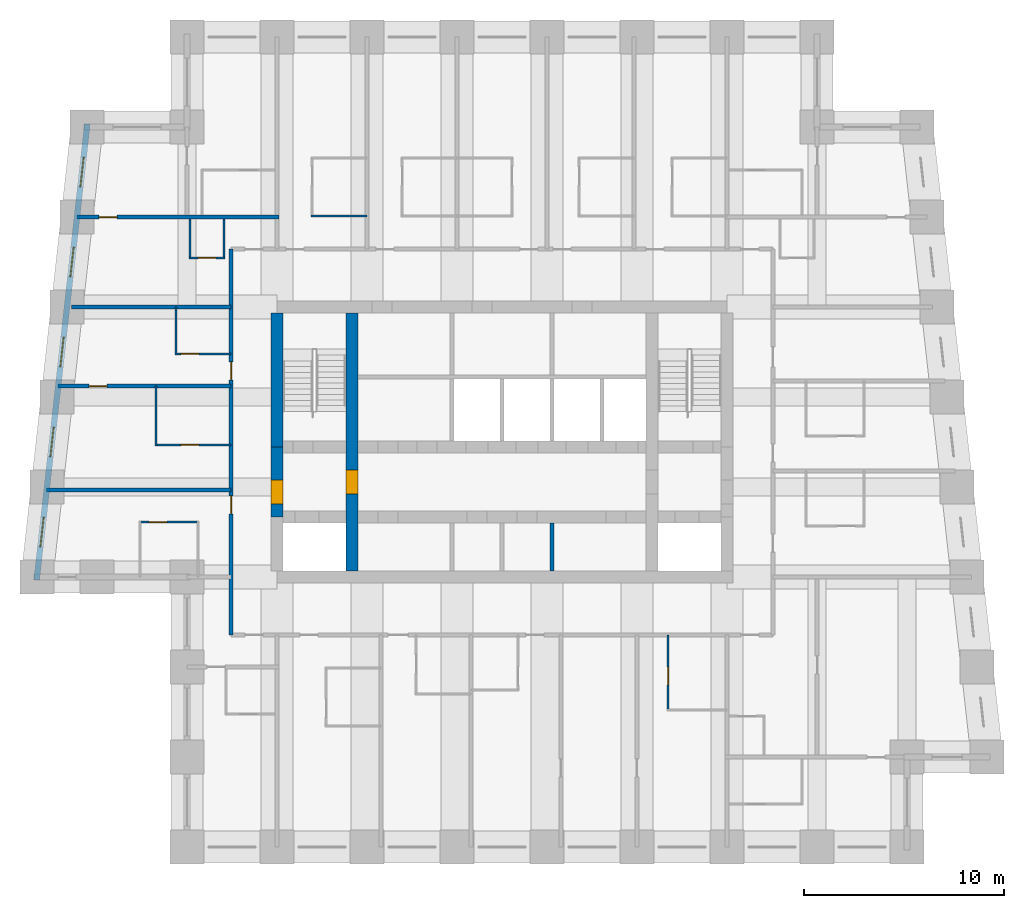
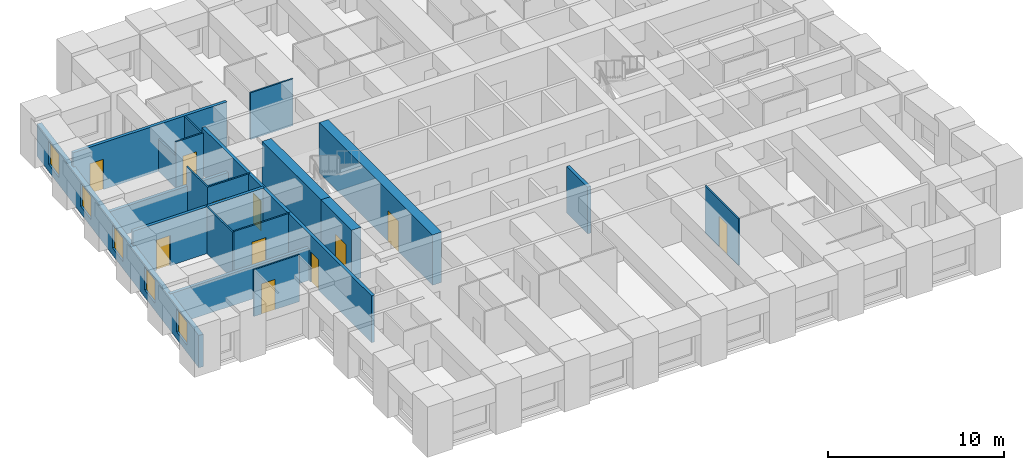
# One storey, part 3 of 8: 20 walls, 11 doors, 5 windows, 16 openings.
"""IFC4 building model written with IfcOpenShell, lengths in metres."""

from ifc_helpers import new_model, si_unit, direction, frame, frame_2d, origin, place, context, subcontext, project, spatial, rectangle, extrude, material, layer, layer_set, type_object, element, fill, save


model = new_model("IFC4")

# Units and contexts
model_context = context("Model", 3, precision=1e-05, world=origin(), true_north=direction((0.0, 1.0)))
body_context = subcontext(model_context, "Body", "Model", "MODEL_VIEW")
ifc_project = project(units=[si_unit("LENGTHUNIT", "METRE"), si_unit("AREAUNIT", "SQUARE_METRE"), si_unit("VOLUMEUNIT", "CUBIC_METRE"), si_unit("PLANEANGLEUNIT", "RADIAN"), si_unit("MASSUNIT", "GRAM", prefix="KILO")], contexts=[model_context])

# Site, building, storey
site_placement = place(None, origin())
site = spatial("IfcSite", under=ifc_project, at=site_placement, CompositionType="ELEMENT")
building_placement = place(site_placement, origin())
building = spatial("IfcBuilding", under=site, at=building_placement, Name="Kilele Tower Hotel", CompositionType="ELEMENT")
storey_placement = place(building_placement, frame((0.0, 0.0, 183.39990234375)))
storey = spatial("IfcBuildingStorey", under=building, at=storey_placement, Name="L47", CompositionType="ELEMENT", Elevation=183.39990234375)

# Wall, opening, door
ifc_material_1 = material(Name="Moisture-resistant board")
ifc_layer_1 = layer(ifc_material_1, 0.10009765625)
ifc_layer_set_1 = layer_set([ifc_layer_1], Name="Moisture-resistant board")
wall_type_1 = type_object("IfcWallType", Name="Bathroom partition 100", PredefinedType="PLUMBINGWALL", material=ifc_layer_set_1)
wall_1_placement = place(storey_placement, frame((33.050048828125, 10.60009765625, 0.0), z_axis=(0.0, 0.0, 1.0), x_axis=(0.0, -1.0, 0.0)))
wall_1 = element("IfcWall", 1, at=wall_1_placement, inside=storey, type_object=wall_type_1, Name="Bathroom partition 100 L47", PredefinedType="PLUMBINGWALL", context=body_context, shape_type="SweptSolid", body=[
    extrude(rectangle(XDim=3.800048828125, YDim=0.10009765625, at=frame_2d((1.89990234375, 0.0))), origin(), (0.0, 0.0, 1.0), 3.25),
])
opening_1_placement = place(wall_1_placement, frame((2.5, 0.0, 0.0), z_axis=(0.0, 0.0, 1.0), x_axis=(-1.0, 0.0, 0.0)))
opening_1 = element("IfcOpeningElement", 2, at=opening_1_placement, cuts=wall_1, Name="Opening D2A", PredefinedType="OPENING", context=body_context, shape_type="SweptSolid", body=[
    extrude(rectangle(XDim=0.89990234375, YDim=2.10009765625, at=frame_2d((0.449951171875, 1.050048828125))), frame((0.0, 0.06005859375, 0.0), z_axis=(0.0, -1.0, 0.0), x_axis=(1.0, 0.0, 0.0)), (0.0, 0.0, 1.0), 0.1201171875),
])
ifc_material_2 = material(Name="Timber door leaf in hardwood frame", Category="wood")
door_type_1 = type_object("IfcDoorType", Name="Bathroom door 900", OperationType="SINGLE_SWING_LEFT", PredefinedType="DOOR", material=ifc_material_2)
door_1_placement = place(opening_1_placement, origin())
door_1 = element("IfcDoor", 3, at=door_1_placement, inside=storey, type_object=door_type_1, Name="Bathroom door 4705B", OperationType="SINGLE_SWING_LEFT", OverallHeight=2.10009765625, OverallWidth=0.89990234375, PredefinedType="DOOR", context=body_context, shape_type="SweptSolid", body=[
    extrude(rectangle(XDim=0.89990234375, YDim=2.10009765625, at=frame_2d((0.449951171875, 1.050048828125))), frame((0.0, 0.02490234375, 0.0), z_axis=(0.0, -1.0, 0.0), x_axis=(1.0, 0.0, 0.0)), (0.0, 0.0, 1.0), 0.050048828125),
])
fill(opening_1, door_1)

# Wall
wall_2_placement = place(storey_placement, frame((15.199951171875, 31.550048828125, 0.0), z_axis=(0.0, 0.0, 1.0), x_axis=(1.0, 0.0, 0.0)))
element("IfcWall", 4, at=wall_2_placement, inside=storey, type_object=wall_type_1, Name="Bathroom partition 100 L47", PredefinedType="PLUMBINGWALL", context=body_context, shape_type="SweptSolid", body=[
    extrude(rectangle(XDim=2.800048828125, YDim=0.10009765625, at=frame_2d((1.39990234375, 0.0))), origin(), (0.0, 0.0, 1.0), 3.25),
])

# Wall, opening, door
wall_3_placement = place(storey_placement, frame((9.60009765625, 16.25, 0.0), z_axis=(0.0, 0.0, 1.0), x_axis=(-1.0, 0.0, 0.0)))
wall_3 = element("IfcWall", 5, at=wall_3_placement, inside=storey, type_object=wall_type_1, Name="Bathroom partition 100 L47", PredefinedType="PLUMBINGWALL", context=body_context, shape_type="SweptSolid", body=[
    extrude(rectangle(XDim=3.0, YDim=0.10009765625, at=frame_2d((1.5, 0.0))), origin(), (0.0, 0.0, 1.0), 3.25),
])
opening_2_placement = place(wall_3_placement, frame((2.5, 0.0, 0.0), z_axis=(0.0, 0.0, 1.0), x_axis=(-1.0, 0.0, 0.0)))
opening_2 = element("IfcOpeningElement", 6, at=opening_2_placement, cuts=wall_3, Name="Opening D2A", PredefinedType="OPENING", context=body_context, shape_type="SweptSolid", body=[
    extrude(rectangle(XDim=0.89990234375, YDim=2.10009765625, at=frame_2d((0.449951171875, 1.050048828125))), frame((0.0, 0.06005859375, 0.0), z_axis=(0.0, -1.0, 0.0), x_axis=(1.0, 0.0, 0.0)), (0.0, 0.0, 1.0), 0.1201171875),
])
door_2_placement = place(opening_2_placement, origin())
door_2 = element("IfcDoor", 7, at=door_2_placement, inside=storey, type_object=door_type_1, Name="Bathroom door 4714B", OperationType="SINGLE_SWING_LEFT", OverallHeight=2.10009765625, OverallWidth=0.89990234375, PredefinedType="DOOR", context=body_context, shape_type="SweptSolid", body=[
    extrude(rectangle(XDim=0.89990234375, YDim=2.10009765625, at=frame_2d((0.449951171875, 1.050048828125))), frame((0.0, 0.02490234375, 0.0), z_axis=(0.0, -1.0, 0.0), x_axis=(1.0, 0.0, 0.0)), (0.0, 0.0, 1.0), 0.050048828125),
])
fill(opening_2, door_2)

# Wall
wall_4_placement = place(storey_placement, frame((7.449951171875, 20.050048828125, 0.0), z_axis=(0.0, 0.0, 1.0), x_axis=(0.0, 1.0, 0.0)))
element("IfcWall", 8, at=wall_4_placement, inside=storey, type_object=wall_type_1, Name="Bathroom partition 100 L47", PredefinedType="PLUMBINGWALL", context=body_context, shape_type="SweptSolid", body=[
    extrude(rectangle(XDim=3.0, YDim=0.10009765625, at=frame_2d((1.5, 0.0))), origin(), (0.0, 0.0, 1.0), 3.25),
])

# Wall, opening, door
wall_5_placement = place(storey_placement, frame((11.199951171875, 20.10009765625, 0.0), z_axis=(0.0, 0.0, 1.0), x_axis=(-1.0, 0.0, 0.0)))
wall_5 = element("IfcWall", 9, at=wall_5_placement, inside=storey, type_object=wall_type_1, Name="Bathroom partition 100 L47", PredefinedType="PLUMBINGWALL", context=body_context, shape_type="SweptSolid", body=[
    extrude(rectangle(XDim=3.800048828125, YDim=0.10009765625, at=frame_2d((1.89990234375, 0.0))), origin(), (0.0, 0.0, 1.0), 3.25),
])
opening_3_placement = place(wall_5_placement, frame((1.60009765625, 0.0, 0.0)))
opening_3 = element("IfcOpeningElement", 10, at=opening_3_placement, cuts=wall_5, Name="Opening D2A", PredefinedType="OPENING", context=body_context, shape_type="SweptSolid", body=[
    extrude(rectangle(XDim=0.89990234375, YDim=2.10009765625, at=frame_2d((0.449951171875, 1.050048828125))), frame((0.0, 0.06005859375, 0.0), z_axis=(0.0, -1.0, 0.0), x_axis=(1.0, 0.0, 0.0)), (0.0, 0.0, 1.0), 0.1201171875),
])
door_3_placement = place(opening_3_placement, origin())
door_3 = element("IfcDoor", 11, at=door_3_placement, inside=storey, type_object=door_type_1, Name="Bathroom door 4715B", OperationType="SINGLE_SWING_RIGHT", OverallHeight=2.10009765625, OverallWidth=0.89990234375, PredefinedType="DOOR", context=body_context, shape_type="SweptSolid", body=[
    extrude(rectangle(XDim=0.89990234375, YDim=2.10009765625, at=frame_2d((0.449951171875, 1.050048828125))), frame((0.0, 0.02490234375, 0.0), z_axis=(0.0, -1.0, 0.0), x_axis=(1.0, 0.0, 0.0)), (0.0, 0.0, 1.0), 0.050048828125),
])
fill(opening_3, door_3)

# Wall
wall_6_placement = place(storey_placement, frame((8.449951171875, 24.60009765625, 0.0), z_axis=(0.0, 0.0, 1.0), x_axis=(0.0, 1.0, 0.0)))
element("IfcWall", 12, at=wall_6_placement, inside=storey, type_object=wall_type_1, Name="Bathroom partition 100 L47", PredefinedType="PLUMBINGWALL", context=body_context, shape_type="SweptSolid", body=[
    extrude(rectangle(XDim=2.39990234375, YDim=0.10009765625, at=frame_2d((1.199951171875, 0.0))), origin(), (0.0, 0.0, 1.0), 3.25),
])

# Wall, opening, door
wall_7_placement = place(storey_placement, frame((11.199951171875, 24.64990234375, 0.0), z_axis=(0.0, 0.0, 1.0), x_axis=(-1.0, 0.0, 0.0)))
wall_7 = element("IfcWall", 13, at=wall_7_placement, inside=storey, type_object=wall_type_1, Name="Bathroom partition 100 L47", PredefinedType="PLUMBINGWALL", context=body_context, shape_type="SweptSolid", body=[
    extrude(rectangle(XDim=2.800048828125, YDim=0.10009765625, at=frame_2d((1.39990234375, 0.0))), origin(), (0.0, 0.0, 1.0), 3.25),
])
opening_4_placement = place(wall_7_placement, frame((1.60009765625, 0.0, 0.0)))
opening_4 = element("IfcOpeningElement", 14, at=opening_4_placement, cuts=wall_7, Name="Opening D2A", PredefinedType="OPENING", context=body_context, shape_type="SweptSolid", body=[
    extrude(rectangle(XDim=0.89990234375, YDim=2.10009765625, at=frame_2d((0.449951171875, 1.050048828125))), frame((0.0, 0.06005859375, 0.0), z_axis=(0.0, -1.0, 0.0), x_axis=(1.0, 0.0, 0.0)), (0.0, 0.0, 1.0), 0.1201171875),
])
door_4_placement = place(opening_4_placement, origin())
door_4 = element("IfcDoor", 15, at=door_4_placement, inside=storey, type_object=door_type_1, Name="Bathroom door 4716B", OperationType="SINGLE_SWING_RIGHT", OverallHeight=2.10009765625, OverallWidth=0.89990234375, PredefinedType="DOOR", context=body_context, shape_type="SweptSolid", body=[
    extrude(rectangle(XDim=0.89990234375, YDim=2.10009765625, at=frame_2d((0.449951171875, 1.050048828125))), frame((0.0, 0.02490234375, 0.0), z_axis=(0.0, -1.0, 0.0), x_axis=(1.0, 0.0, 0.0)), (0.0, 0.0, 1.0), 0.050048828125),
])
fill(opening_4, door_4)

# Walls
wall_8_placement = place(storey_placement, frame((9.14990234375, 31.39990234375, 0.0), z_axis=(0.0, 0.0, 1.0), x_axis=(0.0, -1.0, 0.0)))
element("IfcWall", 16, at=wall_8_placement, inside=storey, type_object=wall_type_1, Name="Bathroom partition 100 L47", PredefinedType="PLUMBINGWALL", context=body_context, shape_type="SweptSolid", body=[
    extrude(rectangle(XDim=2.0, YDim=0.10009765625, at=frame_2d((1.0, 0.0))), origin(), (0.0, 0.0, 1.0), 2.25),
])
wall_9_placement = place(storey_placement, frame((10.85009765625, 31.39990234375, 0.0), z_axis=(0.0, 0.0, 1.0), x_axis=(0.0, -1.0, 0.0)))
element("IfcWall", 17, at=wall_9_placement, inside=storey, type_object=wall_type_1, Name="Bathroom partition 100 L47", PredefinedType="PLUMBINGWALL", context=body_context, shape_type="SweptSolid", body=[
    extrude(rectangle(XDim=2.0, YDim=0.10009765625, at=frame_2d((1.0, 0.0))), origin(), (0.0, 0.0, 1.0), 3.25),
])

# Wall, opening, door
wall_10_placement = place(storey_placement, frame((10.89990234375, 29.449951171875, 0.0), z_axis=(0.0, 0.0, 1.0), x_axis=(-1.0, 0.0, 0.0)))
wall_10 = element("IfcWall", 18, at=wall_10_placement, inside=storey, type_object=wall_type_1, Name="Bathroom partition 100 L47", PredefinedType="PLUMBINGWALL", context=body_context, shape_type="SweptSolid", body=[
    extrude(rectangle(XDim=1.7998046875, YDim=0.10009765625, at=frame_2d((0.89990234375, 0.0))), origin(), (0.0, 0.0, 1.0), 3.25),
])
opening_5_placement = place(wall_10_placement, frame((0.449951171875, 0.0, 0.0)))
opening_5 = element("IfcOpeningElement", 19, at=opening_5_placement, cuts=wall_10, Name="Opening D2A", PredefinedType="OPENING", context=body_context, shape_type="SweptSolid", body=[
    extrude(rectangle(XDim=0.89990234375, YDim=2.10009765625, at=frame_2d((0.449951171875, 1.050048828125))), frame((0.0, 0.06005859375, 0.0), z_axis=(0.0, -1.0, 0.0), x_axis=(1.0, 0.0, 0.0)), (0.0, 0.0, 1.0), 0.1201171875),
])
door_5_placement = place(opening_5_placement, origin())
door_5 = element("IfcDoor", 20, at=door_5_placement, inside=storey, type_object=door_type_1, Name="Bathroom door 4725P", OperationType="SINGLE_SWING_LEFT", OverallHeight=2.10009765625, OverallWidth=0.89990234375, PredefinedType="DOOR", context=body_context, shape_type="SweptSolid", body=[
    extrude(rectangle(XDim=0.89990234375, YDim=2.10009765625, at=frame_2d((0.449951171875, 1.050048828125))), frame((0.0, 0.02490234375, 0.0), z_axis=(0.0, -1.0, 0.0), x_axis=(1.0, 0.0, 0.0)), (0.0, 0.0, 1.0), 0.050048828125),
])
fill(opening_5, door_5)

ifc_material_3 = material(Name="Concrete C70/85", Category="concrete")
ifc_layer_2 = layer(ifc_material_3, 0.60009765625)
ifc_layer_set_2 = layer_set([ifc_layer_2], Name="Concrete C70/85")
wall_type_2 = type_object("IfcWallType", Name="Core wall 600 C70/85", PredefinedType="SHEAR", material=ifc_layer_set_2)
wall_11_placement = place(storey_placement, frame((17.25, 13.800048828125, 0.0), z_axis=(0.0, 0.0, 1.0), x_axis=(0.0, 1.0, 0.0)))
wall_11 = element("IfcWall", 21, at=wall_11_placement, inside=storey, type_object=wall_type_2, Name="Core wall IW L47", PredefinedType="SHEAR", context=body_context, shape_type="SweptSolid", body=[
    extrude(rectangle(XDim=12.89990234375, YDim=0.60009765625, at=frame_2d((6.449951171875, 0.0))), origin(), (0.0, 0.0, 1.0), 3.5),
])
opening_6_placement = place(wall_11_placement, frame((3.85009765625, 0.0, 0.0)))
opening_6 = element("IfcOpeningElement", 22, at=opening_6_placement, cuts=wall_11, Name="Opening D4", PredefinedType="OPENING", context=body_context, shape_type="SweptSolid", body=[
    extrude(rectangle(XDim=1.199951171875, YDim=2.10009765625, at=frame_2d((0.60009765625, 1.050048828125))), frame((0.0, 0.31005859375, 0.0), z_axis=(0.0, -1.0, 0.0), x_axis=(1.0, 0.0, 0.0)), (0.0, 0.0, 1.0), 0.6201171875),
])
ifc_material_4 = material(Name="Timber door leaf in hardwood frame", Category="wood")
door_type_2 = type_object("IfcDoorType", Name="Firefighting lobby door 1200", OperationType="SINGLE_SWING_LEFT", PredefinedType="DOOR", material=ifc_material_4)
door_6_placement = place(opening_6_placement, origin())
door_6 = element("IfcDoor", 23, at=door_6_placement, inside=storey, type_object=door_type_2, Name="Lobby door L47", OperationType="SINGLE_SWING_LEFT", OverallHeight=2.10009765625, OverallWidth=1.199951171875, PredefinedType="DOOR", context=body_context, shape_type="SweptSolid", body=[
    extrude(rectangle(XDim=1.199951171875, YDim=2.10009765625, at=frame_2d((0.60009765625, 1.050048828125))), frame((0.0, 0.2998046875, 0.0), z_axis=(0.0, -1.0, 0.0), x_axis=(1.0, 0.0, 0.0)), (0.0, 0.0, 1.0), 0.599609375),
])
fill(opening_6, door_6)

# Wall
wall_12_placement = place(storey_placement, frame((13.5, 26.699951171875, 0.0), z_axis=(0.0, 0.0, 1.0), x_axis=(0.0, -1.0, 0.0)))
element("IfcWall", 24, at=wall_12_placement, inside=storey, type_object=wall_type_2, Name="Core wall W1 L47", PredefinedType="SHEAR", context=body_context, shape_type="SweptSolid", body=[
    extrude(rectangle(XDim=6.699951171875, YDim=0.60009765625, at=frame_2d((3.35009765625, 0.0))), origin(), (0.0, 0.0, 1.0), 3.5),
])

# Wall, opening, door
wall_13_placement = place(storey_placement, frame((13.5, 20.0, 0.0), z_axis=(0.0, 0.0, 1.0), x_axis=(0.0, -1.0, 0.0)))
wall_13 = element("IfcWall", 25, at=wall_13_placement, inside=storey, type_object=wall_type_2, Name="Core wall W2 L47", PredefinedType="SHEAR", context=body_context, shape_type="SweptSolid", body=[
    extrude(rectangle(XDim=3.5, YDim=0.60009765625, at=frame_2d((1.75, 0.0))), origin(), (0.0, 0.0, 1.0), 3.5),
])
opening_7_placement = place(wall_13_placement, frame((1.64990234375, 0.0, 0.0)))
opening_7 = element("IfcOpeningElement", 26, at=opening_7_placement, cuts=wall_13, Name="Opening D4", PredefinedType="OPENING", context=body_context, shape_type="SweptSolid", body=[
    extrude(rectangle(XDim=1.199951171875, YDim=2.10009765625, at=frame_2d((0.60009765625, 1.050048828125))), frame((0.0, 0.31005859375, 0.0), z_axis=(0.0, -1.0, 0.0), x_axis=(1.0, 0.0, 0.0)), (0.0, 0.0, 1.0), 0.6201171875),
])
door_7_placement = place(opening_7_placement, origin())
door_7 = element("IfcDoor", 27, at=door_7_placement, inside=storey, type_object=door_type_2, Name="Lobby door L47", OperationType="SINGLE_SWING_RIGHT", OverallHeight=2.10009765625, OverallWidth=1.199951171875, PredefinedType="DOOR", context=body_context, shape_type="SweptSolid", body=[
    extrude(rectangle(XDim=1.199951171875, YDim=2.10009765625, at=frame_2d((0.60009765625, 1.050048828125))), frame((0.0, 0.2998046875, 0.0), z_axis=(0.0, -1.0, 0.0), x_axis=(1.0, 0.0, 0.0)), (0.0, 0.0, 1.0), 0.599609375),
])
fill(opening_7, door_7)

# Wall, openings, doors
ifc_material_5 = material(Name="Blockwork, plastered both sides", Category="masonry")
ifc_layer_3 = layer(ifc_material_5, 0.199951171875)
ifc_layer_set_3 = layer_set([ifc_layer_3], Name="Blockwork, plastered both sides")
wall_type_3 = type_object("IfcWallType", Name="Corridor wall 200", PredefinedType="PARTITIONING", material=ifc_layer_set_3)
wall_14_placement = place(storey_placement, frame((11.199951171875, 10.60009765625, 0.0), z_axis=(0.0, 0.0, 1.0), x_axis=(0.0, 1.0, 0.0)))
wall_14 = element("IfcWall", 28, at=wall_14_placement, inside=storey, type_object=wall_type_3, Name="Corridor wall 200 L47", PredefinedType="PARTITIONING", context=body_context, shape_type="SweptSolid", body=[
    extrude(rectangle(XDim=19.2998046875, YDim=0.199951171875, at=frame_2d((9.64990234375, 0.0))), origin(), (0.0, 0.0, 1.0), 3.25),
])
opening_8_placement = place(wall_14_placement, frame((6.050048828125, 0.0, 0.0)))
opening_8 = element("IfcOpeningElement", 29, at=opening_8_placement, cuts=wall_14, Name="Opening D1", PredefinedType="OPENING", context=body_context, shape_type="SweptSolid", body=[
    extrude(rectangle(XDim=0.89990234375, YDim=2.10009765625, at=frame_2d((0.449951171875, 1.050048828125))), frame((0.0, 0.10986328125, 0.0), z_axis=(0.0, -1.0, 0.0), x_axis=(1.0, 0.0, 0.0)), (0.0, 0.0, 1.0), 0.219970703125),
])
opening_9_placement = place(wall_14_placement, frame((12.75, 0.0, 0.0)))
opening_9 = element("IfcOpeningElement", 30, at=opening_9_placement, cuts=wall_14, Name="Opening D1", PredefinedType="OPENING", context=body_context, shape_type="SweptSolid", body=[
    extrude(rectangle(XDim=0.89990234375, YDim=2.10009765625, at=frame_2d((0.449951171875, 1.050048828125))), frame((0.0, 0.10986328125, 0.0), z_axis=(0.0, -1.0, 0.0), x_axis=(1.0, 0.0, 0.0)), (0.0, 0.0, 1.0), 0.219970703125),
])
ifc_material_6 = material(Name="Timber door leaf in hardwood frame", Category="wood")
door_type_3 = type_object("IfcDoorType", Name="Guest room entrance door 900", OperationType="SINGLE_SWING_LEFT", PredefinedType="DOOR", material=ifc_material_6)
door_8_placement = place(opening_8_placement, origin())
door_8 = element("IfcDoor", 31, at=door_8_placement, inside=storey, type_object=door_type_3, Name="Room entrance 4714", OperationType="SINGLE_SWING_RIGHT", OverallHeight=2.10009765625, OverallWidth=0.89990234375, PredefinedType="DOOR", context=body_context, shape_type="SweptSolid", body=[
    extrude(rectangle(XDim=0.89990234375, YDim=2.10009765625, at=frame_2d((0.449951171875, 1.050048828125))), frame((0.0, 0.02490234375, 0.0), z_axis=(0.0, -1.0, 0.0), x_axis=(1.0, 0.0, 0.0)), (0.0, 0.0, 1.0), 0.050048828125),
])
fill(opening_8, door_8)
door_9_placement = place(opening_9_placement, origin())
door_9 = element("IfcDoor", 32, at=door_9_placement, inside=storey, type_object=door_type_3, Name="Room entrance 4716", OperationType="SINGLE_SWING_LEFT", OverallHeight=2.10009765625, OverallWidth=0.89990234375, PredefinedType="DOOR", context=body_context, shape_type="SweptSolid", body=[
    extrude(rectangle(XDim=0.89990234375, YDim=2.10009765625, at=frame_2d((0.449951171875, 1.050048828125))), frame((0.0, 0.02490234375, 0.0), z_axis=(0.0, -1.0, 0.0), x_axis=(1.0, 0.0, 0.0)), (0.0, 0.0, 1.0), 0.050048828125),
])
fill(opening_9, door_9)

# Wall
ifc_material_7 = material(Name="Blockwork, plastered both sides", Category="masonry")
ifc_layer_4 = layer(ifc_material_7, 0.199951171875)
ifc_layer_set_4 = layer_set([ifc_layer_4], Name="Blockwork, plastered both sides")
wall_type_4 = type_object("IfcWallType", Name="Party wall 200", PredefinedType="PARTITIONING", material=ifc_layer_set_4)
wall_15_placement = place(storey_placement, frame((11.199951171875, 17.85009765625, 0.0), z_axis=(0.0, 0.0, 1.0), x_axis=(-1.0, 0.0, 0.0)))
element("IfcWall", 33, at=wall_15_placement, inside=storey, type_object=wall_type_4, Name="Party wall 200 L47", PredefinedType="PARTITIONING", context=body_context, shape_type="SweptSolid", body=[
    extrude(rectangle(XDim=9.215576171875, YDim=0.199951171875, at=frame_2d((4.60791015625, 0.0))), origin(), (0.0, 0.0, 1.0), 2.25),
])

# Wall, opening, door
wall_16_placement = place(storey_placement, frame((11.199951171875, 23.050048828125, 0.0), z_axis=(0.0, 0.0, 1.0), x_axis=(-1.0, 0.0, 0.0)))
wall_16 = element("IfcWall", 34, at=wall_16_placement, inside=storey, type_object=wall_type_4, Name="Party wall 200 L47", PredefinedType="PARTITIONING", context=body_context, shape_type="SweptSolid", body=[
    extrude(rectangle(XDim=8.637939453125, YDim=0.199951171875, at=frame_2d((4.31884765625, 0.0))), origin(), (0.0, 0.0, 1.0), 3.25),
])
opening_10_placement = place(wall_16_placement, frame((7.099853515625, 0.0, 0.0), z_axis=(0.0, 0.0, 1.0), x_axis=(-1.0, 0.0, 0.0)))
opening_10 = element("IfcOpeningElement", 35, at=opening_10_placement, cuts=wall_16, Name="Opening D3", PredefinedType="OPENING", context=body_context, shape_type="SweptSolid", body=[
    extrude(rectangle(XDim=0.89990234375, YDim=2.10009765625, at=frame_2d((0.449951171875, 1.050048828125))), frame((0.0, 0.10986328125, 0.0), z_axis=(0.0, -1.0, 0.0), x_axis=(1.0, 0.0, 0.0)), (0.0, 0.0, 1.0), 0.219970703125),
])
ifc_material_8 = material(Name="Timber door leaf in hardwood frame", Category="wood")
door_type_4 = type_object("IfcDoorType", Name="Suite internal door 900", OperationType="SINGLE_SWING_LEFT", PredefinedType="DOOR", material=ifc_material_8)
door_10_placement = place(opening_10_placement, origin())
door_10 = element("IfcDoor", 36, at=door_10_placement, inside=storey, type_object=door_type_4, Name="Suite door 4716", OperationType="SINGLE_SWING_LEFT", OverallHeight=2.10009765625, OverallWidth=0.89990234375, PredefinedType="DOOR", context=body_context, shape_type="SweptSolid", body=[
    extrude(rectangle(XDim=0.89990234375, YDim=2.10009765625, at=frame_2d((0.449951171875, 1.050048828125))), frame((0.0, 0.02490234375, 0.0), z_axis=(0.0, -1.0, 0.0), x_axis=(1.0, 0.0, 0.0)), (0.0, 0.0, 1.0), 0.050048828125),
])
fill(opening_10, door_10)

# Wall
wall_17_placement = place(storey_placement, frame((11.199951171875, 27.0, 0.0), z_axis=(0.0, 0.0, 1.0), x_axis=(-1.0, 0.0, 0.0)))
element("IfcWall", 37, at=wall_17_placement, inside=storey, type_object=wall_type_4, Name="Party wall 200 L47", PredefinedType="PARTITIONING", context=body_context, shape_type="SweptSolid", body=[
    extrude(rectangle(XDim=7.976806640625, YDim=0.199951171875, at=frame_2d((3.98828125, 0.0))), origin(), (0.0, 0.0, 1.0), 1.9501953125),
])

# Wall, opening, door
wall_18_placement = place(storey_placement, frame((13.60009765625, 31.5, 0.0), z_axis=(0.0, 0.0, 1.0), x_axis=(-1.0, 0.0, 0.0)))
wall_18 = element("IfcWall", 38, at=wall_18_placement, inside=storey, type_object=wall_type_4, Name="Party wall 200 L47", PredefinedType="PARTITIONING", context=body_context, shape_type="SweptSolid", body=[
    extrude(rectangle(XDim=10.09912109375, YDim=0.199951171875, at=frame_2d((5.049560546875, 0.0))), origin(), (0.0, 0.0, 1.0), 3.25),
])
opening_11_placement = place(wall_18_placement, frame((8.9990234375, 0.0, 0.0), z_axis=(0.0, 0.0, 1.0), x_axis=(-1.0, 0.0, 0.0)))
opening_11 = element("IfcOpeningElement", 39, at=opening_11_placement, cuts=wall_18, Name="Opening D3", PredefinedType="OPENING", context=body_context, shape_type="SweptSolid", body=[
    extrude(rectangle(XDim=0.89990234375, YDim=2.10009765625, at=frame_2d((0.449951171875, 1.050048828125))), frame((0.0, 0.10986328125, 0.0), z_axis=(0.0, -1.0, 0.0), x_axis=(1.0, 0.0, 0.0)), (0.0, 0.0, 1.0), 0.219970703125),
])
door_11_placement = place(opening_11_placement, origin())
door_11 = element("IfcDoor", 40, at=door_11_placement, inside=storey, type_object=door_type_4, Name="Suite door 4726", OperationType="SINGLE_SWING_LEFT", OverallHeight=2.10009765625, OverallWidth=0.89990234375, PredefinedType="DOOR", context=body_context, shape_type="SweptSolid", body=[
    extrude(rectangle(XDim=0.89990234375, YDim=2.10009765625, at=frame_2d((0.449951171875, 1.050048828125))), frame((0.0, 0.02490234375, 0.0), z_axis=(0.0, -1.0, 0.0), x_axis=(1.0, 0.0, 0.0)), (0.0, 0.0, 1.0), 0.050048828125),
])
fill(opening_11, door_11)

# Wall, openings, windows
ifc_material_9 = material(Name="Concrete C40/50 precast", Category="concrete")
ifc_layer_5 = layer(ifc_material_9, 0.260009765625, Name="Precast backing", Category="LoadBearing")
ifc_material_10 = material(Name="Reconstituted stone finish", Category="masonry")
ifc_layer_6 = layer(ifc_material_10, 0.0400390625, Name="Face mix", Category="Finish")
ifc_layer_set_5 = layer_set([ifc_layer_5, ifc_layer_6], Name="Precast concrete C40/50, reconstituted stone finish")
wall_type_5 = type_object("IfcWallType", Name="Precast stone facade wall 300", PredefinedType="STANDARD", material=ifc_layer_set_5)
wall_19_placement = place(storey_placement, frame((4.0166015625, 36.149169921875, 0.0), z_axis=(0.0, 0.0, 1.0), x_axis=(-0.110433862387, -0.993883475081, 0.0)))
wall_19 = element("IfcWall", 41, at=wall_19_placement, inside=storey, type_object=wall_type_5, Name="Facade wall L47 edge 12", PredefinedType="STANDARD", context=body_context, shape_type="SweptSolid", body=[
    extrude(rectangle(XDim=22.938720703125, YDim=0.300048828125, at=frame_2d((11.46923828125, 0.0))), origin(), (0.0, 0.0, 1.0), 2.25),
])
opening_12_placement = place(wall_19_placement, frame((1.6640625, 0.0, 0.5)))
opening_12 = element("IfcOpeningElement", 42, at=opening_12_placement, cuts=wall_19, Name="Opening W3", PredefinedType="OPENING", context=body_context, shape_type="SweptSolid", body=[
    extrude(rectangle(XDim=1.5, YDim=1.60009765625, at=frame_2d((0.75, 0.800048828125))), frame((0.0, 0.159912109375, 0.0), z_axis=(0.0, -1.0, 0.0), x_axis=(1.0, 0.0, 0.0)), (0.0, 0.0, 1.0), 0.320068359375),
])
opening_13_placement = place(wall_19_placement, frame((6.19189453125, 0.0, 0.5)))
opening_13 = element("IfcOpeningElement", 43, at=opening_13_placement, cuts=wall_19, Name="Opening W3", PredefinedType="OPENING", context=body_context, shape_type="SweptSolid", body=[
    extrude(rectangle(XDim=1.5, YDim=1.60009765625, at=frame_2d((0.75, 0.800048828125))), frame((0.0, 0.159912109375, 0.0), z_axis=(0.0, -1.0, 0.0), x_axis=(1.0, 0.0, 0.0)), (0.0, 0.0, 1.0), 0.320068359375),
])
opening_14_placement = place(wall_19_placement, frame((10.718994140625, 0.0, 0.5)))
opening_14 = element("IfcOpeningElement", 44, at=opening_14_placement, cuts=wall_19, Name="Opening W3", PredefinedType="OPENING", context=body_context, shape_type="SweptSolid", body=[
    extrude(rectangle(XDim=1.5, YDim=1.60009765625, at=frame_2d((0.75, 0.800048828125))), frame((0.0, 0.159912109375, 0.0), z_axis=(0.0, -1.0, 0.0), x_axis=(1.0, 0.0, 0.0)), (0.0, 0.0, 1.0), 0.320068359375),
])
opening_15_placement = place(wall_19_placement, frame((15.2470703125, 0.0, 0.5)))
opening_15 = element("IfcOpeningElement", 45, at=opening_15_placement, cuts=wall_19, Name="Opening W3", PredefinedType="OPENING", context=body_context, shape_type="SweptSolid", body=[
    extrude(rectangle(XDim=1.5, YDim=1.60009765625, at=frame_2d((0.75, 0.800048828125))), frame((0.0, 0.159912109375, 0.0), z_axis=(0.0, -1.0, 0.0), x_axis=(1.0, 0.0, 0.0)), (0.0, 0.0, 1.0), 0.320068359375),
])
opening_16_placement = place(wall_19_placement, frame((19.77490234375, 0.0, 0.5)))
opening_16 = element("IfcOpeningElement", 46, at=opening_16_placement, cuts=wall_19, Name="Opening W3", PredefinedType="OPENING", context=body_context, shape_type="SweptSolid", body=[
    extrude(rectangle(XDim=1.5, YDim=1.60009765625, at=frame_2d((0.75, 0.800048828125))), frame((0.0, 0.159912109375, 0.0), z_axis=(0.0, -1.0, 0.0), x_axis=(1.0, 0.0, 0.0)), (0.0, 0.0, 1.0), 0.320068359375),
])
ifc_material_11 = material(Name="Aluminium frame, clear double glazing", Category="aluminium")
window_type = type_object("IfcWindowType", Name="Window W3 1500 x 1600", PartitioningType="SINGLE_PANEL", PredefinedType="WINDOW", material=ifc_material_11)
window_1_placement = place(opening_12_placement, origin())
window_1 = element("IfcWindow", 47, at=window_1_placement, inside=storey, type_object=window_type, Name="Window L47", OverallHeight=1.60009765625, OverallWidth=1.5, PartitioningType="SINGLE_PANEL", PredefinedType="WINDOW", context=body_context, shape_type="SweptSolid", body=[
    extrude(rectangle(XDim=1.5, YDim=1.60009765625, at=frame_2d((0.75, 0.800048828125))), frame((0.0, 0.030029296875, 0.0), z_axis=(0.0, -1.0, 0.0), x_axis=(1.0, 0.0, 0.0)), (0.0, 0.0, 1.0), 0.06005859375),
])
fill(opening_12, window_1)
window_2_placement = place(opening_13_placement, origin())
window_2 = element("IfcWindow", 48, at=window_2_placement, inside=storey, type_object=window_type, Name="Window L47", OverallHeight=1.60009765625, OverallWidth=1.5, PartitioningType="SINGLE_PANEL", PredefinedType="WINDOW", context=body_context, shape_type="SweptSolid", body=[
    extrude(rectangle(XDim=1.5, YDim=1.60009765625, at=frame_2d((0.75, 0.800048828125))), frame((0.0, 0.030029296875, 0.0), z_axis=(0.0, -1.0, 0.0), x_axis=(1.0, 0.0, 0.0)), (0.0, 0.0, 1.0), 0.06005859375),
])
fill(opening_13, window_2)
window_3_placement = place(opening_14_placement, origin())
window_3 = element("IfcWindow", 49, at=window_3_placement, inside=storey, type_object=window_type, Name="Window L47", OverallHeight=1.60009765625, OverallWidth=1.5, PartitioningType="SINGLE_PANEL", PredefinedType="WINDOW", context=body_context, shape_type="SweptSolid", body=[
    extrude(rectangle(XDim=1.5, YDim=1.60009765625, at=frame_2d((0.75, 0.800048828125))), frame((0.0, 0.030029296875, 0.0), z_axis=(0.0, -1.0, 0.0), x_axis=(1.0, 0.0, 0.0)), (0.0, 0.0, 1.0), 0.06005859375),
])
fill(opening_14, window_3)
window_4_placement = place(opening_15_placement, origin())
window_4 = element("IfcWindow", 50, at=window_4_placement, inside=storey, type_object=window_type, Name="Window L47", OverallHeight=1.60009765625, OverallWidth=1.5, PartitioningType="SINGLE_PANEL", PredefinedType="WINDOW", context=body_context, shape_type="SweptSolid", body=[
    extrude(rectangle(XDim=1.5, YDim=1.60009765625, at=frame_2d((0.75, 0.800048828125))), frame((0.0, 0.030029296875, 0.0), z_axis=(0.0, -1.0, 0.0), x_axis=(1.0, 0.0, 0.0)), (0.0, 0.0, 1.0), 0.06005859375),
])
fill(opening_15, window_4)
window_5_placement = place(opening_16_placement, origin())
window_5 = element("IfcWindow", 51, at=window_5_placement, inside=storey, type_object=window_type, Name="Window L47", OverallHeight=1.60009765625, OverallWidth=1.5, PartitioningType="SINGLE_PANEL", PredefinedType="WINDOW", context=body_context, shape_type="SweptSolid", body=[
    extrude(rectangle(XDim=1.5, YDim=1.60009765625, at=frame_2d((0.75, 0.800048828125))), frame((0.0, 0.030029296875, 0.0), z_axis=(0.0, -1.0, 0.0), x_axis=(1.0, 0.0, 0.0)), (0.0, 0.0, 1.0), 0.06005859375),
])
fill(opening_16, window_5)

# Wall
ifc_material_12 = material(Name="Blockwork, fire-rated", Category="masonry")
ifc_layer_7 = layer(ifc_material_12, 0.199951171875)
ifc_layer_set_6 = layer_set([ifc_layer_7], Name="Blockwork, fire-rated")
wall_type_6 = type_object("IfcWallType", Name="Shaft wall 200", PredefinedType="PARTITIONING", material=ifc_layer_set_6)
wall_20_placement = place(storey_placement, frame((27.25, 13.800048828125, 0.0), z_axis=(0.0, 0.0, 1.0), x_axis=(0.0, 1.0, 0.0)))
element("IfcWall", 52, at=wall_20_placement, inside=storey, type_object=wall_type_6, Name="Shaft wall 200 L47", PredefinedType="PARTITIONING", context=body_context, shape_type="SweptSolid", body=[
    extrude(rectangle(XDim=2.39990234375, YDim=0.199951171875, at=frame_2d((1.199951171875, 0.0))), origin(), (0.0, 0.0, 1.0), 3.25),
])

save(model, "model.ifc")
